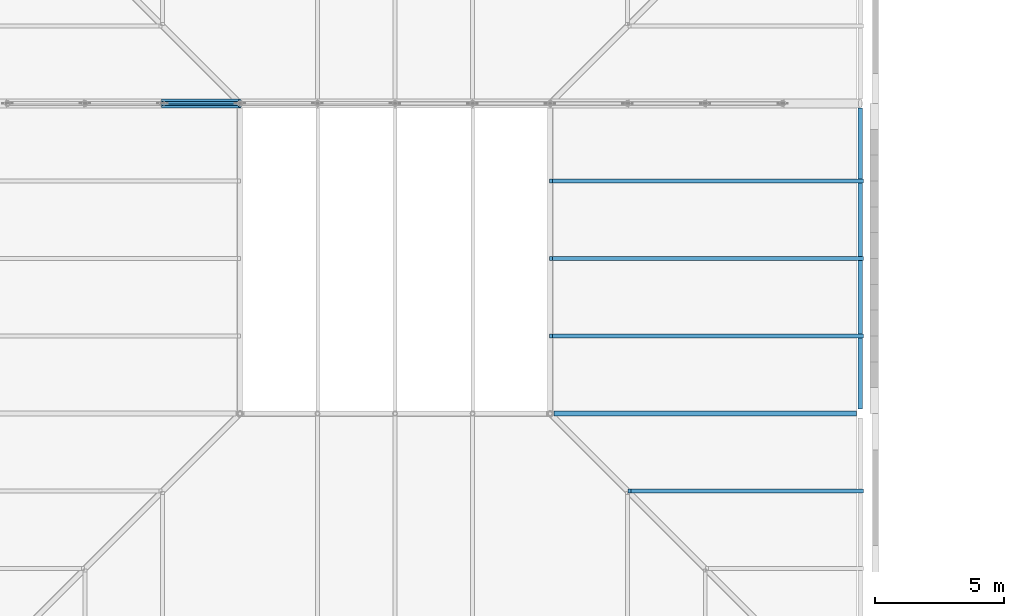
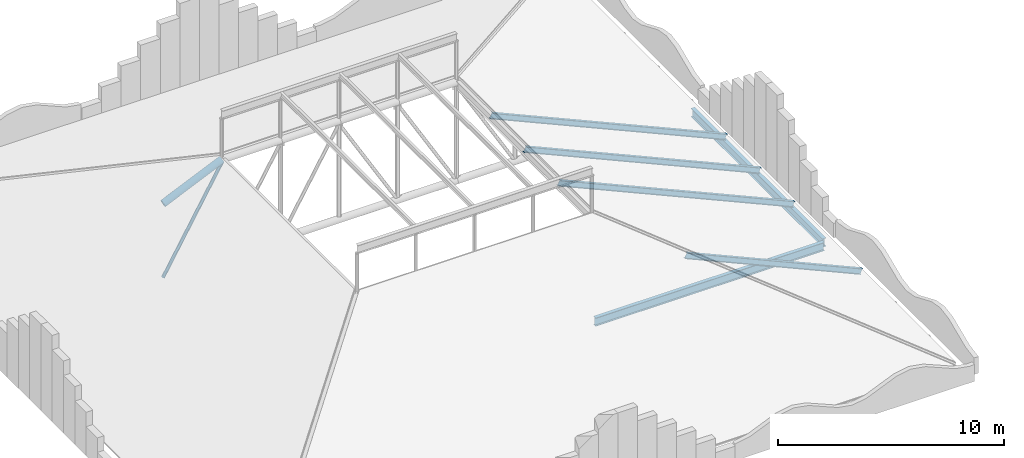
# One storey, part 230 of 321: 6 members, 2 beams.
"""IFC4 building model written with IfcOpenShell, lengths in metres."""

from ifc_helpers import new_model, si_unit, direction, frame, origin, origin_2d, place, context, subcontext, project, spatial, hollow_circle, i_section, extrude, material, material_profile, profile_set, type_object, element, save


model = new_model("IFC4")

# Units and contexts
model_context = context("Model", 3, precision=1e-05, world=origin(), true_north=direction((0.0, 1.0)))
body_context = subcontext(model_context, "Body", "Model", "MODEL_VIEW")
ifc_project = project(units=[si_unit("LENGTHUNIT", "METRE"), si_unit("AREAUNIT", "SQUARE_METRE"), si_unit("VOLUMEUNIT", "CUBIC_METRE"), si_unit("PLANEANGLEUNIT", "RADIAN"), si_unit("MASSUNIT", "GRAM", prefix="KILO")], contexts=[model_context])

# Site, building, storey
site_placement = place(None, origin())
site = spatial("IfcSite", under=ifc_project, at=site_placement, CompositionType="ELEMENT")
building_placement = place(site_placement, origin())
building = spatial("IfcBuilding", under=site, at=building_placement, Name="Ravi Spectrum Wholesale Market", CompositionType="ELEMENT")
storey_placement = place(building_placement, frame((0.0, 0.0, 10.800048828125)))
storey = spatial("IfcBuildingStorey", under=building, at=storey_placement, Name="L02", CompositionType="ELEMENT", Elevation=10.800048828125)

# Members
ifc_material_1 = material(Name="Steel S355", Category="steel")
ifc_material_profile_1 = material_profile(ifc_material_1, hollow_circle(Radius=0.084228515625, WallThickness=0.00634765625, at=origin_2d()))
ifc_profile_set_1 = profile_set([ifc_material_profile_1], Name="Steel S355")
member_type_1 = type_object("IfcMemberType", Name="CHS 168.3x6.3 brace", PredefinedType="BRACE", material=ifc_profile_set_1)
member_1_placement = place(storey_placement, frame((171.0, 222.0, 0.177734375), z_axis=(0.503588158255, 0.0, 0.863943844741), x_axis=(0.0, 1.0, 0.0)))
element("IfcMember", 1, at=member_1_placement, inside=storey, type_object=member_type_1, Name="AU-MB-L02-029", PredefinedType="BRACE", context=body_context, shape_type="SweptSolid", body=[
    extrude(hollow_circle(Radius=0.084228515625, WallThickness=0.00634765625, at=origin_2d()), origin(), (0.0, 0.0, 1.0), 5.957275390625),
])
ifc_material_2 = material(Name="Steel S355", Category="steel")
ifc_material_profile_2 = material_profile(ifc_material_2, hollow_circle(Radius=0.177734375, WallThickness=0.012451171875, at=origin_2d()))
ifc_profile_set_2 = profile_set([ifc_material_profile_2], Name="Steel S355")
member_type_2 = type_object("IfcMemberType", Name="CHS 355.6x12.5 chord", PredefinedType="CHORD", material=ifc_profile_set_2)
member_2_placement = place(storey_placement, frame((171.0, 222.0, 4.1669921875), z_axis=(0.91359987507, 0.0, 0.406614397522), x_axis=(0.0, 1.0, 0.0)))
element("IfcMember", 2, at=member_2_placement, inside=storey, type_object=member_type_2, Name="AU-MB-L02-007", PredefinedType="CHORD", context=body_context, shape_type="SweptSolid", body=[
    extrude(hollow_circle(Radius=0.177734375, WallThickness=0.012451171875, at=origin_2d()), origin(), (0.0, 0.0, 1.0), 3.28369140625),
])
ifc_material_3 = material(Name="Steel S355", Category="steel")
ifc_material_profile_3 = material_profile(ifc_material_3, i_section(OverallWidth=0.14990234375, OverallDepth=0.300048828125, WebThickness=0.007080078125, FlangeThickness=0.0107421875, at=origin_2d()))
ifc_profile_set_3 = profile_set([ifc_material_profile_3], Name="Steel S355")
member_type_3 = type_object("IfcMemberType", Name="IPE 300 rafter", PredefinedType="RAFTER", material=ifc_profile_set_3)
member_3_placement = place(storey_placement, frame((198.06103515625, 207.0, 0.136962890625), z_axis=(-0.913615976302, 0.0, 0.406578218606), x_axis=(0.0, -1.0, 0.0)))
element("IfcMember", 3, at=member_3_placement, inside=storey, type_object=member_type_3, Name="AU-MB-L02-042", PredefinedType="RAFTER", context=body_context, shape_type="SweptSolid", body=[
    extrude(i_section(OverallWidth=0.14990234375, OverallDepth=0.300048828125, WebThickness=0.007080078125, FlangeThickness=0.0107421875, at=origin_2d()), origin(), (0.0, 0.0, 1.0), 9.837646484375),
])
for number, where, z_axis, x_axis, name in (
    (4, (198.06103515625, 213.0, 0.136962890625), (-0.913616426718, 0.0, 0.406577206482), (0.0, -1.0, 0.0), "AU-MB-L02-044"),
    (5, (198.06103515625, 216.0, 0.136962890625), (-0.913616426718, 0.0, 0.406577206482), (0.0, -1.0, 0.0), "AU-MB-L02-046"),
    (6, (198.06103515625, 219.0, 0.136962890625), (-0.913616426718, 0.0, 0.406577206482), (0.0, -1.0, 0.0), "AU-MB-L02-048"),
):
    element("IfcMember", number, at=place(storey_placement, frame(where, z_axis=z_axis, x_axis=x_axis)), inside=storey, type_object=member_type_3, Name=name, PredefinedType="RAFTER", context=body_context, shape_type="SweptSolid", body=[
        extrude(i_section(OverallWidth=0.14990234375, OverallDepth=0.300048828125, WebThickness=0.007080078125, FlangeThickness=0.0107421875, at=origin_2d()), origin(), (0.0, 0.0, 1.0), 13.164306640625),
    ])

# Beams
ifc_material_4 = material(Name="Steel S355", Category="steel")
ifc_material_profile_4 = material_profile(ifc_material_4, i_section(OverallWidth=0.18994140625, OverallDepth=0.449951171875, WebThickness=0.009521484375, FlangeThickness=0.0146484375, at=origin_2d()))
ifc_profile_set_4 = profile_set([ifc_material_profile_4], Name="Steel S355")
beam_type = type_object("IfcBeamType", Name="IPE 450 girder", PredefinedType="BEAM", material=ifc_profile_set_4)
beam_1_placement = place(storey_placement, frame((186.14990234375, 210.0, -0.22509765625), z_axis=(1.0, 0.0, 0.0), x_axis=(0.0, 1.0, 0.0)))
element("IfcBeam", 7, at=beam_1_placement, inside=storey, type_object=beam_type, Name="AU-BM-L02-009", PredefinedType="BEAM", context=body_context, shape_type="SweptSolid", body=[
    extrude(i_section(OverallWidth=0.18994140625, OverallDepth=0.449951171875, WebThickness=0.009521484375, FlangeThickness=0.0146484375, at=origin_2d()), origin(), (0.0, 0.0, 1.0), 11.7001953125),
])
beam_2_placement = place(storey_placement, frame((198.0, 210.169921875, -0.22509765625), z_axis=(0.0, 1.0, 0.0), x_axis=(-1.0, 0.0, 0.0)))
element("IfcBeam", 8, at=beam_2_placement, inside=storey, type_object=beam_type, Name="AU-BM-L02-014", PredefinedType="BEAM", context=body_context, shape_type="SweptSolid", body=[
    extrude(i_section(OverallWidth=0.18994140625, OverallDepth=0.449951171875, WebThickness=0.009521484375, FlangeThickness=0.0146484375, at=origin_2d()), origin(), (0.0, 0.0, 1.0), 11.66015625),
])

save(model, "model.ifc")
